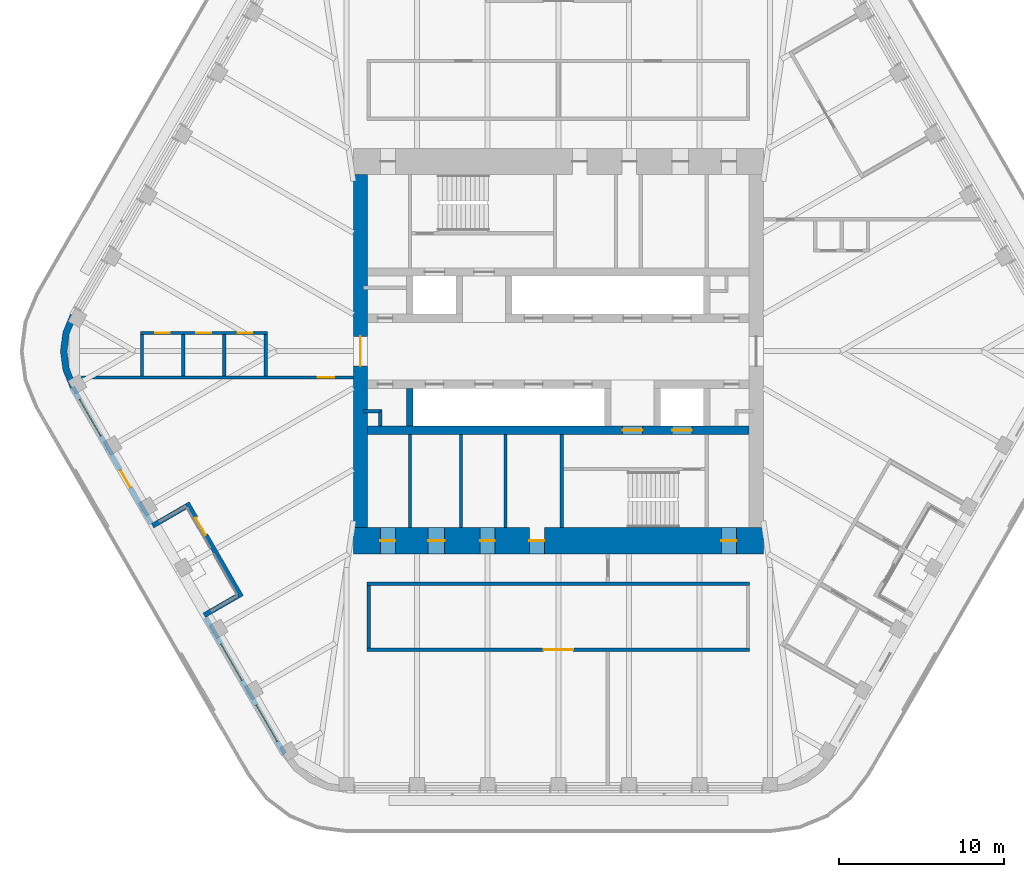
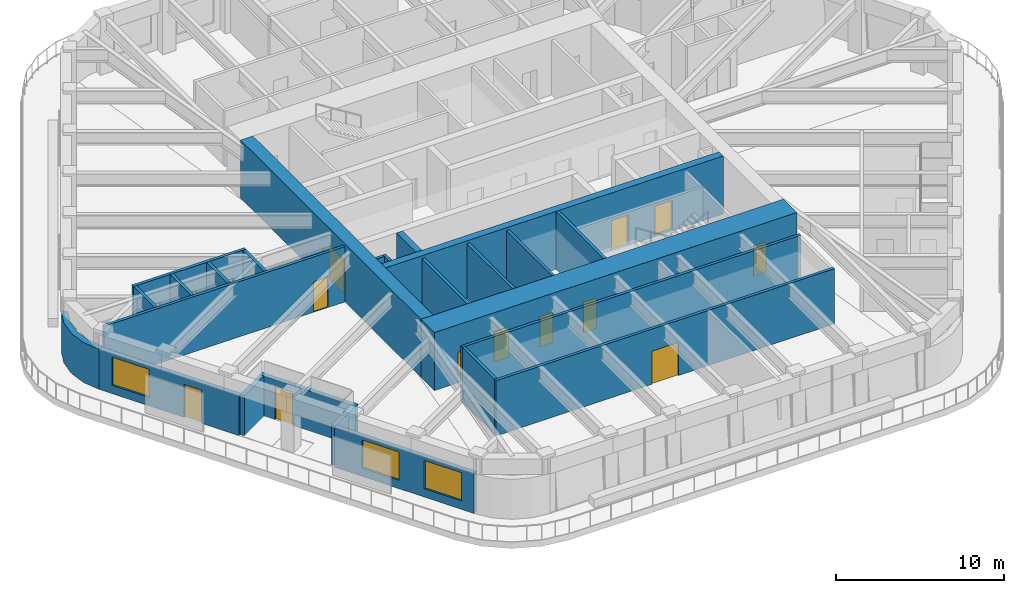
# One storey, part 13 of 19: 25 walls, 15 doors, 3 windows, 18 openings.
"""IFC4 building model written with IfcOpenShell, lengths in metres."""

from ifc_helpers import new_model, si_unit, direction, frame, frame_2d, origin, place, context, subcontext, project, spatial, polyline, rectangle, outline, extrude, material, layer, layer_set, type_object, element, fill, save


model = new_model("IFC4")

# Units and contexts
model_context = context("Model", 3, precision=1e-05, world=origin(), true_north=direction((0.0, 1.0)))
body_context = subcontext(model_context, "Body", "Model", "MODEL_VIEW")
ifc_project = project(units=[si_unit("LENGTHUNIT", "METRE"), si_unit("AREAUNIT", "SQUARE_METRE"), si_unit("VOLUMEUNIT", "CUBIC_METRE"), si_unit("PLANEANGLEUNIT", "RADIAN"), si_unit("MASSUNIT", "GRAM", prefix="KILO")], contexts=[model_context])

# Site, building, storey
site_placement = place(None, origin())
site = spatial("IfcSite", under=ifc_project, at=site_placement, CompositionType="ELEMENT")
building_placement = place(site_placement, origin())
building = spatial("IfcBuilding", under=site, at=building_placement, Name="Tarfa Lantern Tower", CompositionType="ELEMENT")
storey_placement = place(building_placement, frame((0.0, 0.0, 353.5)))
storey = spatial("IfcBuildingStorey", under=building, at=storey_placement, Name="L80", CompositionType="ELEMENT", Elevation=353.5)

# Wall, openings, door, window
ifc_material_1 = material(Name="Limestone cladding on blockwork", Category="masonry")
ifc_layer_1 = layer(ifc_material_1, 0.300048828125)
ifc_layer_set_1 = layer_set([ifc_layer_1], Name="EW1 STONE-CLAD WALL 300")
wall_type_1 = type_object("IfcWallType", Name="EW1 STONE-CLAD WALL 300", PredefinedType="SOLIDWALL", material=ifc_layer_set_1)
wall_1_placement = place(storey_placement, frame((-29.459228515625, -2.175048828125, 0.0), z_axis=(0.0, 0.0, 1.0), x_axis=(0.499996453679, -0.866027451244, 0.0)))
wall_1 = element("IfcWall", 1, at=wall_1_placement, inside=storey, type_object=wall_type_1, Name="Stone wall SW", PredefinedType="SOLIDWALL", context=body_context, shape_type="SweptSolid", body=[
    extrude(rectangle(XDim=9.56396484375, YDim=0.300048828125, at=frame_2d((4.781982421875, 0.0))), origin(), (0.0, 0.0, 1.0), 2.89990234375),
])
opening_1_placement = place(wall_1_placement, frame((0.865966796875, 0.0, 0.60009765625)))
opening_1 = element("IfcOpeningElement", 2, at=opening_1_placement, cuts=wall_1, Name="Opening W17", PredefinedType="OPENING", context=body_context, shape_type="SweptSolid", body=[
    extrude(rectangle(XDim=2.550048828125, YDim=2.050048828125, at=frame_2d((1.27490234375, 1.02490234375))), frame((0.0, 0.159912109375, 0.0), z_axis=(0.0, -1.0, 0.0), x_axis=(1.0, 0.0, 0.0)), (0.0, 0.0, 1.0), 0.320068359375),
])
opening_2_placement = place(wall_1_placement, frame((5.822998046875, 0.0, 0.0)))
opening_2 = element("IfcOpeningElement", 3, at=opening_2_placement, cuts=wall_1, Name="Opening D42", PredefinedType="OPENING", context=body_context, shape_type="SweptSolid", body=[
    extrude(rectangle(XDim=1.199951171875, YDim=2.39990234375, at=frame_2d((0.60009765625, 1.199951171875))), frame((0.0, 0.159912109375, 0.0), z_axis=(0.0, -1.0, 0.0), x_axis=(1.0, 0.0, 0.0)), (0.0, 0.0, 1.0), 0.320068359375),
])
ifc_material_2 = material(Name="Aluminium framed glazed door", Category="aluminium")
door_type_1 = type_object("IfcDoorType", Name="BE3 BALCONY DOOR 1200x2400", OperationType="SINGLE_SWING_RIGHT", PredefinedType="DOOR", material=ifc_material_2)
door_1_placement = place(opening_2_placement, origin())
door_1 = element("IfcDoor", 4, at=door_1_placement, inside=storey, type_object=door_type_1, Name="Balcony door SW", OperationType="SINGLE_SWING_LEFT", OverallHeight=2.39990234375, OverallWidth=1.199951171875, PredefinedType="DOOR", context=body_context, shape_type="SweptSolid", body=[
    extrude(rectangle(XDim=1.199951171875, YDim=2.39990234375, at=frame_2d((0.60009765625, 1.199951171875))), frame((0.0, 0.02490234375, 0.0), z_axis=(0.0, -1.0, 0.0), x_axis=(1.0, 0.0, 0.0)), (0.0, 0.0, 1.0), 0.050048828125),
])
fill(opening_2, door_1)
ifc_material_3 = material(Name="Aluminium frame, double glazed", Category="aluminium")
window_type = type_object("IfcWindowType", Name="W17 FULL-HEIGHT GLAZING 2550x2050", PartitioningType="SINGLE_PANEL", PredefinedType="WINDOW", material=ifc_material_3)
window_1_placement = place(opening_1_placement, origin())
window_1 = element("IfcWindow", 5, at=window_1_placement, inside=storey, type_object=window_type, Name="Window SW 1", OverallHeight=2.050048828125, OverallWidth=2.550048828125, PartitioningType="SINGLE_PANEL", PredefinedType="WINDOW", context=body_context, shape_type="SweptSolid", body=[
    extrude(rectangle(XDim=2.550048828125, YDim=2.050048828125, at=frame_2d((1.27490234375, 1.02490234375))), frame((0.0, 0.030029296875, 0.0), z_axis=(0.0, -1.0, 0.0), x_axis=(1.0, 0.0, 0.0)), (0.0, 0.0, 1.0), 0.06005859375),
])
fill(opening_1, window_1)

# Wall, openings, windows
wall_2_placement = place(storey_placement, frame((-21.395263671875, -16.142333984375, 0.0), z_axis=(0.0, 0.0, 1.0), x_axis=(0.499996453679, -0.866027451244, 0.0)))
wall_2 = element("IfcWall", 6, at=wall_2_placement, inside=storey, type_object=wall_type_1, Name="Stone wall SWB", PredefinedType="SOLIDWALL", context=body_context, shape_type="SweptSolid", body=[
    extrude(rectangle(XDim=9.56396484375, YDim=0.300048828125, at=frame_2d((4.781982421875, 0.0))), origin(), (0.0, 0.0, 1.0), 2.89990234375),
])
opening_3_placement = place(wall_2_placement, frame((1.865966796875, 0.0, 0.60009765625)))
opening_3 = element("IfcOpeningElement", 7, at=opening_3_placement, cuts=wall_2, Name="Opening W17", PredefinedType="OPENING", context=body_context, shape_type="SweptSolid", body=[
    extrude(rectangle(XDim=2.550048828125, YDim=2.050048828125, at=frame_2d((1.27490234375, 1.02490234375))), frame((0.0, 0.159912109375, 0.0), z_axis=(0.0, -1.0, 0.0), x_axis=(1.0, 0.0, 0.0)), (0.0, 0.0, 1.0), 0.320068359375),
])
opening_4_placement = place(wall_2_placement, frame((6.14794921875, 0.0, 0.60009765625)))
opening_4 = element("IfcOpeningElement", 8, at=opening_4_placement, cuts=wall_2, Name="Opening W17", PredefinedType="OPENING", context=body_context, shape_type="SweptSolid", body=[
    extrude(rectangle(XDim=2.550048828125, YDim=2.050048828125, at=frame_2d((1.27490234375, 1.02490234375))), frame((0.0, 0.159912109375, 0.0), z_axis=(0.0, -1.0, 0.0), x_axis=(1.0, 0.0, 0.0)), (0.0, 0.0, 1.0), 0.320068359375),
])
window_2_placement = place(opening_3_placement, origin())
window_2 = element("IfcWindow", 9, at=window_2_placement, inside=storey, type_object=window_type, Name="Window SWB 1", OverallHeight=2.050048828125, OverallWidth=2.550048828125, PartitioningType="SINGLE_PANEL", PredefinedType="WINDOW", context=body_context, shape_type="SweptSolid", body=[
    extrude(rectangle(XDim=2.550048828125, YDim=2.050048828125, at=frame_2d((1.27490234375, 1.02490234375))), frame((0.0, 0.030029296875, 0.0), z_axis=(0.0, -1.0, 0.0), x_axis=(1.0, 0.0, 0.0)), (0.0, 0.0, 1.0), 0.06005859375),
])
fill(opening_3, window_2)
window_3_placement = place(opening_4_placement, origin())
window_3 = element("IfcWindow", 10, at=window_3_placement, inside=storey, type_object=window_type, Name="Window SWB 2", OverallHeight=2.050048828125, OverallWidth=2.550048828125, PartitioningType="SINGLE_PANEL", PredefinedType="WINDOW", context=body_context, shape_type="SweptSolid", body=[
    extrude(rectangle(XDim=2.550048828125, YDim=2.050048828125, at=frame_2d((1.27490234375, 1.02490234375))), frame((0.0, 0.030029296875, 0.0), z_axis=(0.0, -1.0, 0.0), x_axis=(1.0, 0.0, 0.0)), (0.0, 0.0, 1.0), 0.06005859375),
])
fill(opening_4, window_3)

# Walls
for number, where, z_axis, x_axis, name in (
    (11, (-24.602294921875, -10.587646484375, 0.0), (0.0, 0.0, 1.0), (0.866016039709, 0.500016218704, 0.0), "Terrace return SW 1"),
    (12, (-21.47021484375, -16.012451171875, 0.0), (0.0, 0.0, 1.0), (0.866016039709, 0.500016218704, 0.0), "Terrace return SW 2"),
):
    element("IfcWall", number, at=place(storey_placement, frame(where, z_axis=z_axis, x_axis=x_axis)), inside=storey, type_object=wall_type_1, Name=name, PredefinedType="SOLIDWALL", context=body_context, shape_type="SweptSolid", body=[
        extrude(rectangle(XDim=2.35009765625, YDim=0.300048828125, at=frame_2d((1.175048828125, 0.0))), origin(), (0.0, 0.0, 1.0), 2.89990234375),
    ])

# Wall, opening, door
wall_3_placement = place(storey_placement, frame((-22.51220703125, -9.207763671875, 0.0), z_axis=(0.0, 0.0, 1.0), x_axis=(0.499999339774, -0.866025784966, 0.0)))
wall_3 = element("IfcWall", 13, at=wall_3_placement, inside=storey, type_object=wall_type_1, Name="Stone wall SWS", PredefinedType="SOLIDWALL", context=body_context, shape_type="SweptSolid", body=[
    extrude(rectangle(XDim=6.56396484375, YDim=0.300048828125, at=frame_2d((3.281982421875, 0.0))), origin(), (0.0, 0.0, 1.0), 2.89990234375),
])
opening_5_placement = place(wall_3_placement, frame((1.041015625, 0.0, 0.0)))
opening_5 = element("IfcOpeningElement", 14, at=opening_5_placement, cuts=wall_3, Name="Opening D43", PredefinedType="OPENING", context=body_context, shape_type="SweptSolid", body=[
    extrude(rectangle(XDim=1.199951171875, YDim=2.39990234375, at=frame_2d((0.60009765625, 1.199951171875))), frame((0.0, 0.159912109375, 0.0), z_axis=(0.0, -1.0, 0.0), x_axis=(1.0, 0.0, 0.0)), (0.0, 0.0, 1.0), 0.320068359375),
])
door_2_placement = place(opening_5_placement, origin())
door_2 = element("IfcDoor", 15, at=door_2_placement, inside=storey, type_object=door_type_1, Name="Balcony door SWS", OperationType="SINGLE_SWING_RIGHT", OverallHeight=2.39990234375, OverallWidth=1.199951171875, PredefinedType="DOOR", context=body_context, shape_type="SweptSolid", body=[
    extrude(rectangle(XDim=1.199951171875, YDim=2.39990234375, at=frame_2d((0.60009765625, 1.199951171875))), frame((0.0, 0.02490234375, 0.0), z_axis=(0.0, -1.0, 0.0), x_axis=(1.0, 0.0, 0.0)), (0.0, 0.0, 1.0), 0.050048828125),
])
fill(opening_5, door_2)

# Walls
ifc_layer_2 = layer(ifc_material_1, 0.39990234375)
ifc_layer_set_2 = layer_set([ifc_layer_2], Name="EW2 CURVED STONE CORNER 400")
wall_type_2 = type_object("IfcWallType", Name="EW2 CURVED STONE CORNER 400", PredefinedType="SOLIDWALL", material=ifc_layer_set_2)
wall_4_placement = place(storey_placement, origin())
element("IfcWall", 16, at=wall_4_placement, inside=storey, type_object=wall_type_2, Name="Stone corner NW-SW", PredefinedType="SOLIDWALL", context=body_context, shape_type="SweptSolid", body=[
    extrude(outline(polyline([(-29.589111328125, 2.25), (-30.038818359375, 1.164794921875), (-30.192138671875, 0.0), (-30.038818359375, -1.164794921875), (-29.589111328125, -2.25), (-29.24267578125, -2.050048828125), (-29.65234375, -1.061279296875), (-29.7919921875, 0.0), (-29.65234375, 1.061279296875), (-29.24267578125, 2.050048828125), (-29.589111328125, 2.25)])), origin(), (0.0, 0.0, 1.0), 2.89990234375),
])
ifc_material_4 = material(Name="Concrete blockwork", Category="masonry")
ifc_layer_3 = layer(ifc_material_4, 0.199951171875)
ifc_layer_set_3 = layer_set([ifc_layer_3], Name="IW1 BLOCKWORK PARTITION 200 EI 120")
wall_type_3 = type_object("IfcWallType", Name="IW1 BLOCKWORK PARTITION 200 EI 120", PredefinedType="PARTITIONING", material=ifc_layer_set_3)
for number, where, z_axis, x_axis, name in (
    (17, (-9.0, -5.050048828125, 0.0), (0.0, 0.0, 1.0), (0.0, -1.0, 0.0), "Core partition"),
    (18, (-3.199951171875, -5.050048828125, 0.0), (0.0, 0.0, 1.0), (0.0, -1.0, 0.0), "Core partition"),
    (19, (-5.89990234375, -5.050048828125, 0.0), (0.0, 0.0, 1.0), (0.0, -1.0, 0.0), "Core partition"),
):
    element("IfcWall", number, at=place(storey_placement, frame(where, z_axis=z_axis, x_axis=x_axis)), inside=storey, type_object=wall_type_3, Name=name, PredefinedType="PARTITIONING", context=body_context, shape_type="SweptSolid", body=[
        extrude(rectangle(XDim=5.64990234375, YDim=0.199951171875, at=frame_2d((2.824951171875, 0.0))), origin(), (0.0, 0.0, 1.0), 4.0),
    ])
for number, where, z_axis, x_axis, name in (
    (20, (-10.800048828125, -3.64990234375, 0.0), (0.0, 0.0, 1.0), (-1.0, 0.0, 0.0), "Core partition"),
    (21, (-10.800048828125, -3.550048828125, 0.0), (0.0, 0.0, 1.0), (0.0, -1.0, 0.0), "Core partition"),
):
    element("IfcWall", number, at=place(storey_placement, frame(where, z_axis=z_axis, x_axis=x_axis)), inside=storey, type_object=wall_type_3, Name=name, PredefinedType="PARTITIONING", context=body_context, shape_type="SweptSolid", body=[
        extrude(rectangle(XDim=1.0, YDim=0.199951171875, at=frame_2d((0.5, 0.0))), origin(), (0.0, 0.0, 1.0), 4.0),
    ])
ifc_material_5 = material(Name="Gypsum board on steel studs", Category="steel")
ifc_layer_4 = layer(ifc_material_5, 0.2099609375)
ifc_layer_set_4 = layer_set([ifc_layer_4], Name="IW2 ACOUSTIC PARTITION 200")
wall_type_4 = type_object("IfcWallType", Name="IW2 ACOUSTIC PARTITION 200", PredefinedType="PARTITIONING", material=ifc_layer_set_4)
wall_5_placement = place(storey_placement, frame((11.60009765625, -14.10009765625, 0.0), z_axis=(0.0, 0.0, 1.0), x_axis=(-1.0, 0.0, 0.0)))
element("IfcWall", 22, at=wall_5_placement, inside=storey, type_object=wall_type_4, Name="Partition", PredefinedType="PARTITIONING", context=body_context, shape_type="SweptSolid", body=[
    extrude(rectangle(XDim=23.2001953125, YDim=0.199951171875, at=frame_2d((11.60009765625, 0.0))), origin(), (0.0, 0.0, 1.0), 4.0),
])

# Wall, opening, door
wall_6_placement = place(storey_placement, frame((11.60009765625, -18.10009765625, 0.0), z_axis=(0.0, 0.0, 1.0), x_axis=(-1.0, 0.0, 0.0)))
wall_6 = element("IfcWall", 23, at=wall_6_placement, inside=storey, type_object=wall_type_4, Name="Partition", PredefinedType="PARTITIONING", context=body_context, shape_type="SweptSolid", body=[
    extrude(rectangle(XDim=23.2001953125, YDim=0.199951171875, at=frame_2d((11.60009765625, 0.0))), origin(), (0.0, 0.0, 1.0), 4.0),
])
opening_6_placement = place(wall_6_placement, frame((10.699951171875, 0.0, 0.0)))
opening_6 = element("IfcOpeningElement", 24, at=opening_6_placement, cuts=wall_6, Name="Opening D29", PredefinedType="OPENING", context=body_context, shape_type="SweptSolid", body=[
    extrude(rectangle(XDim=1.800048828125, YDim=2.39990234375, at=frame_2d((0.89990234375, 1.199951171875))), frame((0.0, 0.10986328125, 0.0), z_axis=(0.0, -1.0, 0.0), x_axis=(1.0, 0.0, 0.0)), (0.0, 0.0, 1.0), 0.219970703125),
])
ifc_material_6 = material(Name="Timber door", Category="wood")
door_type_2 = type_object("IfcDoorType", Name="DR2 ROOM DOOR 1800x2400", OperationType="DOUBLE_DOOR_SINGLE_SWING", PredefinedType="DOOR", material=ifc_material_6)
door_3_placement = place(opening_6_placement, frame((1.800048828125, 0.0, 0.0), z_axis=(0.0, 0.0, 1.0), x_axis=(-1.0, 0.0, 0.0)))
door_3 = element("IfcDoor", 25, at=door_3_placement, inside=storey, type_object=door_type_2, Name="Meeting room door", OperationType="DOUBLE_DOOR_SINGLE_SWING", OverallHeight=2.39990234375, OverallWidth=1.800048828125, PredefinedType="DOOR", context=body_context, shape_type="SweptSolid", body=[
    extrude(rectangle(XDim=1.800048828125, YDim=2.39990234375, at=frame_2d((0.89990234375, 1.199951171875))), frame((0.0, 0.02490234375, 0.0), z_axis=(0.0, -1.0, 0.0), x_axis=(1.0, 0.0, 0.0)), (0.0, 0.0, 1.0), 0.050048828125),
])
fill(opening_6, door_3)

# Wall
wall_7_placement = place(storey_placement, frame((-11.5, -14.199951171875, 0.0), z_axis=(0.0, 0.0, 1.0), x_axis=(0.0, -1.0, 0.0)))
element("IfcWall", 26, at=wall_7_placement, inside=storey, type_object=wall_type_4, Name="Partition", PredefinedType="PARTITIONING", context=body_context, shape_type="SweptSolid", body=[
    extrude(rectangle(XDim=3.800048828125, YDim=0.199951171875, at=frame_2d((1.89990234375, 0.0))), origin(), (0.0, 0.0, 1.0), 4.0),
])

# Wall, opening, door
wall_8_placement = place(storey_placement, frame((-12.425048828125, -1.60009765625, 0.0), z_axis=(0.0, 0.0, 1.0), x_axis=(-1.0, 0.0, 0.0)))
wall_8 = element("IfcWall", 27, at=wall_8_placement, inside=storey, type_object=wall_type_4, Name="Partition", PredefinedType="PARTITIONING", context=body_context, shape_type="SweptSolid", body=[
    extrude(rectangle(XDim=16.500244140625, YDim=0.199951171875, at=frame_2d((8.25, 0.0))), origin(), (0.0, 0.0, 1.0), 4.0),
])
opening_7_placement = place(wall_8_placement, frame((1.150146484375, 0.0, 0.0)))
opening_7 = element("IfcOpeningElement", 28, at=opening_7_placement, cuts=wall_8, Name="Opening D37", PredefinedType="OPENING", context=body_context, shape_type="SweptSolid", body=[
    extrude(rectangle(XDim=1.0, YDim=2.199951171875, at=frame_2d((0.5, 1.10009765625))), frame((0.0, 0.10986328125, 0.0), z_axis=(0.0, -1.0, 0.0), x_axis=(1.0, 0.0, 0.0)), (0.0, 0.0, 1.0), 0.219970703125),
])
door_type_3 = type_object("IfcDoorType", Name="DR1 ROOM DOOR 1000x2200", OperationType="SINGLE_SWING_LEFT", PredefinedType="DOOR", material=ifc_material_6)
door_4_placement = place(opening_7_placement, origin())
door_4 = element("IfcDoor", 29, at=door_4_placement, inside=storey, type_object=door_type_3, Name="Zone door", OperationType="SINGLE_SWING_RIGHT", OverallHeight=2.199951171875, OverallWidth=1.0, PredefinedType="DOOR", context=body_context, shape_type="SweptSolid", body=[
    extrude(rectangle(XDim=1.0, YDim=2.199951171875, at=frame_2d((0.5, 1.10009765625))), frame((0.0, 0.02490234375, 0.0), z_axis=(0.0, -1.0, 0.0), x_axis=(1.0, 0.0, 0.0)), (0.0, 0.0, 1.0), 0.050048828125),
])
fill(opening_7, door_4)

# Wall, openings, doors
wall_9_placement = place(storey_placement, frame((-17.650146484375, 1.10009765625, 0.0), z_axis=(0.0, 0.0, 1.0), x_axis=(-1.0, 0.0, 0.0)))
wall_9 = element("IfcWall", 30, at=wall_9_placement, inside=storey, type_object=wall_type_4, Name="Partition", PredefinedType="PARTITIONING", context=body_context, shape_type="SweptSolid", body=[
    extrude(rectangle(XDim=7.699951171875, YDim=0.199951171875, at=frame_2d((3.85009765625, 0.0))), origin(), (0.0, 0.0, 1.0), 4.0),
])
opening_8_placement = place(wall_9_placement, frame((0.89990234375, 0.0, 0.0)))
opening_8 = element("IfcOpeningElement", 31, at=opening_8_placement, cuts=wall_9, Name="Opening D30", PredefinedType="OPENING", context=body_context, shape_type="SweptSolid", body=[
    extrude(rectangle(XDim=0.89990234375, YDim=2.199951171875, at=frame_2d((0.449951171875, 1.10009765625))), frame((0.0, 0.10986328125, 0.0), z_axis=(0.0, -1.0, 0.0), x_axis=(1.0, 0.0, 0.0)), (0.0, 0.0, 1.0), 0.219970703125),
])
opening_9_placement = place(wall_9_placement, frame((3.39990234375, 0.0, 0.0)))
opening_9 = element("IfcOpeningElement", 32, at=opening_9_placement, cuts=wall_9, Name="Opening D31", PredefinedType="OPENING", context=body_context, shape_type="SweptSolid", body=[
    extrude(rectangle(XDim=0.89990234375, YDim=2.199951171875, at=frame_2d((0.449951171875, 1.10009765625))), frame((0.0, 0.10986328125, 0.0), z_axis=(0.0, -1.0, 0.0), x_axis=(1.0, 0.0, 0.0)), (0.0, 0.0, 1.0), 0.219970703125),
])
opening_10_placement = place(wall_9_placement, frame((5.89990234375, 0.0, 0.0)))
opening_10 = element("IfcOpeningElement", 33, at=opening_10_placement, cuts=wall_9, Name="Opening D32", PredefinedType="OPENING", context=body_context, shape_type="SweptSolid", body=[
    extrude(rectangle(XDim=0.89990234375, YDim=2.199951171875, at=frame_2d((0.449951171875, 1.10009765625))), frame((0.0, 0.10986328125, 0.0), z_axis=(0.0, -1.0, 0.0), x_axis=(1.0, 0.0, 0.0)), (0.0, 0.0, 1.0), 0.219970703125),
])
door_type_4 = type_object("IfcDoorType", Name="DR3 ROOM DOOR 900x2200", OperationType="SINGLE_SWING_LEFT", PredefinedType="DOOR", material=ifc_material_6)
door_5_placement = place(opening_8_placement, origin())
door_5 = element("IfcDoor", 34, at=door_5_placement, inside=storey, type_object=door_type_4, Name="Focus room door", OperationType="SINGLE_SWING_RIGHT", OverallHeight=2.199951171875, OverallWidth=0.89990234375, PredefinedType="DOOR", context=body_context, shape_type="SweptSolid", body=[
    extrude(rectangle(XDim=0.89990234375, YDim=2.199951171875, at=frame_2d((0.449951171875, 1.10009765625))), frame((0.0, 0.02490234375, 0.0), z_axis=(0.0, -1.0, 0.0), x_axis=(1.0, 0.0, 0.0)), (0.0, 0.0, 1.0), 0.050048828125),
])
fill(opening_8, door_5)
door_6_placement = place(opening_9_placement, origin())
door_6 = element("IfcDoor", 35, at=door_6_placement, inside=storey, type_object=door_type_4, Name="Focus room door", OperationType="SINGLE_SWING_LEFT", OverallHeight=2.199951171875, OverallWidth=0.89990234375, PredefinedType="DOOR", context=body_context, shape_type="SweptSolid", body=[
    extrude(rectangle(XDim=0.89990234375, YDim=2.199951171875, at=frame_2d((0.449951171875, 1.10009765625))), frame((0.0, 0.02490234375, 0.0), z_axis=(0.0, -1.0, 0.0), x_axis=(1.0, 0.0, 0.0)), (0.0, 0.0, 1.0), 0.050048828125),
])
fill(opening_9, door_6)
door_7_placement = place(opening_10_placement, origin())
door_7 = element("IfcDoor", 36, at=door_7_placement, inside=storey, type_object=door_type_4, Name="Focus room door", OperationType="SINGLE_SWING_LEFT", OverallHeight=2.199951171875, OverallWidth=0.89990234375, PredefinedType="DOOR", context=body_context, shape_type="SweptSolid", body=[
    extrude(rectangle(XDim=0.89990234375, YDim=2.199951171875, at=frame_2d((0.449951171875, 1.10009765625))), frame((0.0, 0.02490234375, 0.0), z_axis=(0.0, -1.0, 0.0), x_axis=(1.0, 0.0, 0.0)), (0.0, 0.0, 1.0), 0.050048828125),
])
fill(opening_10, door_7)

# Walls
for number, where, z_axis, x_axis, name in (
    (37, (-17.750244140625, -1.5, 0.0), (0.0, 0.0, 1.0), (0.0, 1.0, 0.0), "Partition"),
    (38, (-20.250244140625, -1.5, 0.0), (0.0, 0.0, 1.0), (0.0, 1.0, 0.0), "Partition"),
    (39, (-22.750244140625, -1.5, 0.0), (0.0, 0.0, 1.0), (0.0, 1.0, 0.0), "Partition"),
    (40, (-25.250244140625, -1.5, 0.0), (0.0, 0.0, 1.0), (0.0, 1.0, 0.0), "Partition"),
):
    element("IfcWall", number, at=place(storey_placement, frame(where, z_axis=z_axis, x_axis=x_axis)), inside=storey, type_object=wall_type_4, Name=name, PredefinedType="PARTITIONING", context=body_context, shape_type="SweptSolid", body=[
        extrude(rectangle(XDim=2.5, YDim=0.199951171875, at=frame_2d((1.25, 0.0))), origin(), (0.0, 0.0, 1.0), 4.0),
    ])
ifc_material_7 = material(Name="Concrete C80/95", Category="concrete")
ifc_layer_5 = layer(ifc_material_7, 0.199951171875)
ifc_layer_set_5 = layer_set([ifc_layer_5], Name="SW12 CORE WALL 200")
wall_type_5 = type_object("IfcWallType", Name="SW12 CORE WALL 200", PredefinedType="SHEAR", material=ifc_layer_set_5)
wall_10_placement = place(storey_placement, frame((0.199951171875, -5.050048828125, 0.0), z_axis=(0.0, 0.0, 1.0), x_axis=(0.0, -1.0, 0.0)))
element("IfcWall", 41, at=wall_10_placement, inside=storey, type_object=wall_type_5, Name="Core wall stair shaft S", PredefinedType="SHEAR", context=body_context, shape_type="SweptSolid", body=[
    extrude(rectangle(XDim=5.64990234375, YDim=0.199951171875, at=frame_2d((2.824951171875, 0.0))), origin(), (0.0, 0.0, 1.0), 4.199951171875),
])

# Wall, opening, door
ifc_layer_6 = layer(ifc_material_7, 0.85009765625)
ifc_layer_set_6 = layer_set([ifc_layer_6], Name="SW3 CORE WALL 850")
wall_type_6 = type_object("IfcWallType", Name="SW3 CORE WALL 850", PredefinedType="SHEAR", material=ifc_layer_set_6)
wall_11_placement = place(storey_placement, frame((-12.0, 10.699951171875, 0.0), z_axis=(0.0, 0.0, 1.0), x_axis=(0.0, -1.0, 0.0)))
wall_11 = element("IfcWall", 42, at=wall_11_placement, inside=storey, type_object=wall_type_6, Name="Core wall W", PredefinedType="SHEAR", context=body_context, shape_type="SweptSolid", body=[
    extrude(rectangle(XDim=21.39990234375, YDim=0.85009765625, at=frame_2d((10.699951171875, 0.0))), origin(), (0.0, 0.0, 1.0), 4.199951171875),
])
opening_11_placement = place(wall_11_placement, frame((9.800048828125, 0.0, 0.0)))
opening_11 = element("IfcOpeningElement", 43, at=opening_11_placement, cuts=wall_11, Name="Opening D08", PredefinedType="OPENING", context=body_context, shape_type="SweptSolid", body=[
    extrude(rectangle(XDim=1.800048828125, YDim=2.39990234375, at=frame_2d((0.89990234375, 1.199951171875))), frame((0.0, 0.43505859375, 0.0), z_axis=(0.0, -1.0, 0.0), x_axis=(1.0, 0.0, 0.0)), (0.0, 0.0, 1.0), 0.8701171875),
])
ifc_material_8 = material(Name="Steel fire door", Category="steel")
door_type_5 = type_object("IfcDoorType", Name="DL1 LOBBY DOOR 1800x2400", OperationType="DOUBLE_DOOR_SINGLE_SWING", PredefinedType="DOOR", material=ifc_material_8)
door_8_placement = place(opening_11_placement, frame((1.800048828125, 0.0, 0.0), z_axis=(0.0, 0.0, 1.0), x_axis=(-1.0, 0.0, 0.0)))
door_8 = element("IfcDoor", 44, at=door_8_placement, inside=storey, type_object=door_type_5, Name="Lift lobby door", OperationType="DOUBLE_DOOR_SINGLE_SWING", OverallHeight=2.39990234375, OverallWidth=1.800048828125, PredefinedType="DOOR", context=body_context, shape_type="SweptSolid", body=[
    extrude(rectangle(XDim=1.800048828125, YDim=2.39990234375, at=frame_2d((0.89990234375, 1.199951171875))), frame((0.0, 0.02490234375, 0.0), z_axis=(0.0, -1.0, 0.0), x_axis=(1.0, 0.0, 0.0)), (0.0, 0.0, 1.0), 0.050048828125),
])
fill(opening_11, door_8)

# Wall, openings, doors
ifc_layer_7 = layer(ifc_material_7, 0.5)
ifc_layer_set_7 = layer_set([ifc_layer_7], Name="SW5 CORE WALL 500")
wall_type_7 = type_object("IfcWallType", Name="SW5 CORE WALL 500", PredefinedType="SHEAR", material=ifc_layer_set_7)
wall_12_placement = place(storey_placement, frame((11.574951171875, -4.800048828125, 0.0), z_axis=(0.0, 0.0, 1.0), x_axis=(-1.0, 0.0, 0.0)))
wall_12 = element("IfcWall", 45, at=wall_12_placement, inside=storey, type_object=wall_type_7, Name="Core wall rear S", PredefinedType="SHEAR", context=body_context, shape_type="SweptSolid", body=[
    extrude(rectangle(XDim=23.14990234375, YDim=0.5, at=frame_2d((11.574951171875, 0.0))), origin(), (0.0, 0.0, 1.0), 4.199951171875),
])
opening_12_placement = place(wall_12_placement, frame((6.47509765625, 0.0, 0.0)))
opening_12 = element("IfcOpeningElement", 46, at=opening_12_placement, cuts=wall_12, Name="Opening D06", PredefinedType="OPENING", context=body_context, shape_type="SweptSolid", body=[
    extrude(rectangle(XDim=1.199951171875, YDim=2.199951171875, at=frame_2d((0.60009765625, 1.10009765625))), frame((0.0, 0.260009765625, 0.0), z_axis=(0.0, -1.0, 0.0), x_axis=(1.0, 0.0, 0.0)), (0.0, 0.0, 1.0), 0.52001953125),
])
opening_13_placement = place(wall_12_placement, frame((3.47509765625, 0.0, 0.0)))
opening_13 = element("IfcOpeningElement", 47, at=opening_13_placement, cuts=wall_12, Name="Opening LD02", PredefinedType="OPENING", context=body_context, shape_type="SweptSolid", body=[
    extrude(rectangle(XDim=1.199951171875, YDim=2.199951171875, at=frame_2d((0.60009765625, 1.10009765625))), frame((0.0, 0.260009765625, 0.0), z_axis=(0.0, -1.0, 0.0), x_axis=(1.0, 0.0, 0.0)), (0.0, 0.0, 1.0), 0.52001953125),
])
door_type_6 = type_object("IfcDoorType", Name="DF1 FIREFIGHTING LOBBY DOOR 1200x2200", OperationType="SINGLE_SWING_LEFT", PredefinedType="DOOR", material=ifc_material_8)
door_9_placement = place(opening_12_placement, origin())
door_9 = element("IfcDoor", 48, at=door_9_placement, inside=storey, type_object=door_type_6, Name="Firefighting lobby door", OperationType="SINGLE_SWING_LEFT", OverallHeight=2.199951171875, OverallWidth=1.199951171875, PredefinedType="DOOR", context=body_context, shape_type="SweptSolid", body=[
    extrude(rectangle(XDim=1.199951171875, YDim=2.199951171875, at=frame_2d((0.60009765625, 1.10009765625))), frame((0.0, 0.02490234375, 0.0), z_axis=(0.0, -1.0, 0.0), x_axis=(1.0, 0.0, 0.0)), (0.0, 0.0, 1.0), 0.050048828125),
])
fill(opening_12, door_9)
ifc_material_9 = material(Name="Stainless steel lift door", Category="steel")
door_type_7 = type_object("IfcDoorType", Name="LD1 LIFT LANDING DOOR 1200x2200", OperationType="SLIDING_TO_LEFT", PredefinedType="DOOR", material=ifc_material_9)
door_10_placement = place(opening_13_placement, origin())
door_10 = element("IfcDoor", 49, at=door_10_placement, inside=storey, type_object=door_type_7, Name="Landing door FL2", OperationType="SLIDING_TO_LEFT", OverallHeight=2.199951171875, OverallWidth=1.199951171875, PredefinedType="DOOR", context=body_context, shape_type="SweptSolid", body=[
    extrude(rectangle(XDim=1.199951171875, YDim=2.199951171875, at=frame_2d((0.60009765625, 1.10009765625))), frame((0.0, 0.02490234375, 0.0), z_axis=(0.0, -1.0, 0.0), x_axis=(1.0, 0.0, 0.0)), (0.0, 0.0, 1.0), 0.050048828125),
])
fill(opening_13, door_10)

# Wall
ifc_layer_8 = layer(ifc_material_7, 0.39990234375)
ifc_layer_set_8 = layer_set([ifc_layer_8], Name="SW6 CORE WALL 400")
wall_type_8 = type_object("IfcWallType", Name="SW6 CORE WALL 400", PredefinedType="SHEAR", material=ifc_layer_set_8)
wall_13_placement = place(storey_placement, frame((-9.0, -2.25, 0.0), z_axis=(0.0, 0.0, 1.0), x_axis=(0.0, -1.0, 0.0)))
element("IfcWall", 50, at=wall_13_placement, inside=storey, type_object=wall_type_8, Name="Core wall divider S", PredefinedType="SHEAR", context=body_context, shape_type="SweptSolid", body=[
    extrude(rectangle(XDim=2.300048828125, YDim=0.39990234375, at=frame_2d((1.14990234375, 0.0))), origin(), (0.0, 0.0, 1.0), 4.199951171875),
])

# Wall, openings, doors
ifc_layer_9 = layer(ifc_material_7, 1.60009765625)
ifc_layer_set_9 = layer_set([ifc_layer_9], Name="SW7 CORE WALL 1600")
wall_type_9 = type_object("IfcWallType", Name="SW7 CORE WALL 1600", PredefinedType="SHEAR", material=ifc_layer_set_9)
wall_14_placement = place(storey_placement, frame((12.425048828125, -11.5, 0.0), z_axis=(0.0, 0.0, 1.0), x_axis=(-1.0, 0.0, 0.0)))
wall_14 = element("IfcWall", 51, at=wall_14_placement, inside=storey, type_object=wall_type_9, Name="Core wall S", PredefinedType="SHEAR", context=body_context, shape_type="SweptSolid", body=[
    extrude(rectangle(XDim=24.85009765625, YDim=1.60009765625, at=frame_2d((12.425048828125, 0.0))), origin(), (0.0, 0.0, 1.0), 4.199951171875),
])
opening_14_placement = place(wall_14_placement, frame((13.27490234375, 0.0, 0.0)))
opening_14 = element("IfcOpeningElement", 52, at=opening_14_placement, cuts=wall_14, Name="Opening D14", PredefinedType="OPENING", context=body_context, shape_type="SweptSolid", body=[
    extrude(rectangle(XDim=0.89990234375, YDim=2.199951171875, at=frame_2d((0.449951171875, 1.10009765625))), frame((0.0, 0.81005859375, 0.0), z_axis=(0.0, -1.0, 0.0), x_axis=(1.0, 0.0, 0.0)), (0.0, 0.0, 1.0), 1.6201171875),
])
opening_15_placement = place(wall_14_placement, frame((16.27490234375, 0.0, 0.0)))
opening_15 = element("IfcOpeningElement", 53, at=opening_15_placement, cuts=wall_14, Name="Opening D16", PredefinedType="OPENING", context=body_context, shape_type="SweptSolid", body=[
    extrude(rectangle(XDim=0.89990234375, YDim=2.199951171875, at=frame_2d((0.449951171875, 1.10009765625))), frame((0.0, 0.81005859375, 0.0), z_axis=(0.0, -1.0, 0.0), x_axis=(1.0, 0.0, 0.0)), (0.0, 0.0, 1.0), 1.6201171875),
])
opening_16_placement = place(wall_14_placement, frame((19.324951171875, 0.0, 0.0)))
opening_16 = element("IfcOpeningElement", 54, at=opening_16_placement, cuts=wall_14, Name="Opening D18", PredefinedType="OPENING", context=body_context, shape_type="SweptSolid", body=[
    extrude(rectangle(XDim=1.0, YDim=2.199951171875, at=frame_2d((0.5, 1.10009765625))), frame((0.0, 0.81005859375, 0.0), z_axis=(0.0, -1.0, 0.0), x_axis=(1.0, 0.0, 0.0)), (0.0, 0.0, 1.0), 1.6201171875),
])
opening_17_placement = place(wall_14_placement, frame((1.637451171875, 0.0, 0.0)))
opening_17 = element("IfcOpeningElement", 55, at=opening_17_placement, cuts=wall_14, Name="Opening D04", PredefinedType="OPENING", context=body_context, shape_type="SweptSolid", body=[
    extrude(rectangle(XDim=0.89990234375, YDim=2.199951171875, at=frame_2d((0.449951171875, 1.10009765625))), frame((0.0, 0.81005859375, 0.0), z_axis=(0.0, -1.0, 0.0), x_axis=(1.0, 0.0, 0.0)), (0.0, 0.0, 1.0), 1.6201171875),
])
opening_18_placement = place(wall_14_placement, frame((22.3125, 0.0, 0.0)))
opening_18 = element("IfcOpeningElement", 56, at=opening_18_placement, cuts=wall_14, Name="Opening D02", PredefinedType="OPENING", context=body_context, shape_type="SweptSolid", body=[
    extrude(rectangle(XDim=0.89990234375, YDim=2.199951171875, at=frame_2d((0.449951171875, 1.10009765625))), frame((0.0, 0.81005859375, 0.0), z_axis=(0.0, -1.0, 0.0), x_axis=(1.0, 0.0, 0.0)), (0.0, 0.0, 1.0), 1.6201171875),
])
door_type_8 = type_object("IfcDoorType", Name="DF3 CORE ROOM DOOR 900x2200", OperationType="SINGLE_SWING_LEFT", PredefinedType="DOOR", material=ifc_material_8)
door_11_placement = place(opening_14_placement, frame((0.89990234375, 0.0, 0.0), z_axis=(0.0, 0.0, 1.0), x_axis=(-1.0, 0.0, 0.0)))
door_11 = element("IfcDoor", 57, at=door_11_placement, inside=storey, type_object=door_type_8, Name="Core door", OperationType="SINGLE_SWING_LEFT", OverallHeight=2.199951171875, OverallWidth=0.89990234375, PredefinedType="DOOR", context=body_context, shape_type="SweptSolid", body=[
    extrude(rectangle(XDim=0.89990234375, YDim=2.199951171875, at=frame_2d((0.449951171875, 1.10009765625))), frame((0.0, 0.02490234375, 0.0), z_axis=(0.0, -1.0, 0.0), x_axis=(1.0, 0.0, 0.0)), (0.0, 0.0, 1.0), 0.050048828125),
])
fill(opening_14, door_11)
door_12_placement = place(opening_15_placement, frame((0.89990234375, 0.0, 0.0), z_axis=(0.0, 0.0, 1.0), x_axis=(-1.0, 0.0, 0.0)))
door_12 = element("IfcDoor", 58, at=door_12_placement, inside=storey, type_object=door_type_8, Name="Core door", OperationType="SINGLE_SWING_LEFT", OverallHeight=2.199951171875, OverallWidth=0.89990234375, PredefinedType="DOOR", context=body_context, shape_type="SweptSolid", body=[
    extrude(rectangle(XDim=0.89990234375, YDim=2.199951171875, at=frame_2d((0.449951171875, 1.10009765625))), frame((0.0, 0.02490234375, 0.0), z_axis=(0.0, -1.0, 0.0), x_axis=(1.0, 0.0, 0.0)), (0.0, 0.0, 1.0), 0.050048828125),
])
fill(opening_15, door_12)
door_type_9 = type_object("IfcDoorType", Name="DF4 CORE ROOM DOOR 1000x2200", OperationType="SINGLE_SWING_LEFT", PredefinedType="DOOR", material=ifc_material_8)
door_13_placement = place(opening_16_placement, frame((1.0, 0.0, 0.0), z_axis=(0.0, 0.0, 1.0), x_axis=(-1.0, 0.0, 0.0)))
door_13 = element("IfcDoor", 59, at=door_13_placement, inside=storey, type_object=door_type_9, Name="Core door", OperationType="SINGLE_SWING_LEFT", OverallHeight=2.199951171875, OverallWidth=1.0, PredefinedType="DOOR", context=body_context, shape_type="SweptSolid", body=[
    extrude(rectangle(XDim=1.0, YDim=2.199951171875, at=frame_2d((0.5, 1.10009765625))), frame((0.0, 0.02490234375, 0.0), z_axis=(0.0, -1.0, 0.0), x_axis=(1.0, 0.0, 0.0)), (0.0, 0.0, 1.0), 0.050048828125),
])
fill(opening_16, door_13)
door_type_10 = type_object("IfcDoorType", Name="DF5 RISER DOOR 900x2200", OperationType="SINGLE_SWING_LEFT", PredefinedType="DOOR", material=ifc_material_8)
door_14_placement = place(opening_17_placement, frame((0.89990234375, 0.0, 0.0), z_axis=(0.0, 0.0, 1.0), x_axis=(-1.0, 0.0, 0.0)))
door_14 = element("IfcDoor", 60, at=door_14_placement, inside=storey, type_object=door_type_10, Name="Riser door", OperationType="SINGLE_SWING_LEFT", OverallHeight=2.199951171875, OverallWidth=0.89990234375, PredefinedType="DOOR", context=body_context, shape_type="SweptSolid", body=[
    extrude(rectangle(XDim=0.89990234375, YDim=2.199951171875, at=frame_2d((0.449951171875, 1.10009765625))), frame((0.0, 0.02490234375, 0.0), z_axis=(0.0, -1.0, 0.0), x_axis=(1.0, 0.0, 0.0)), (0.0, 0.0, 1.0), 0.050048828125),
])
fill(opening_17, door_14)
door_15_placement = place(opening_18_placement, frame((0.89990234375, 0.0, 0.0), z_axis=(0.0, 0.0, 1.0), x_axis=(-1.0, 0.0, 0.0)))
door_15 = element("IfcDoor", 61, at=door_15_placement, inside=storey, type_object=door_type_10, Name="Riser door", OperationType="SINGLE_SWING_RIGHT", OverallHeight=2.199951171875, OverallWidth=0.89990234375, PredefinedType="DOOR", context=body_context, shape_type="SweptSolid", body=[
    extrude(rectangle(XDim=0.89990234375, YDim=2.199951171875, at=frame_2d((0.449951171875, 1.10009765625))), frame((0.0, 0.02490234375, 0.0), z_axis=(0.0, -1.0, 0.0), x_axis=(1.0, 0.0, 0.0)), (0.0, 0.0, 1.0), 0.050048828125),
])
fill(opening_18, door_15)

save(model, "model.ifc")
